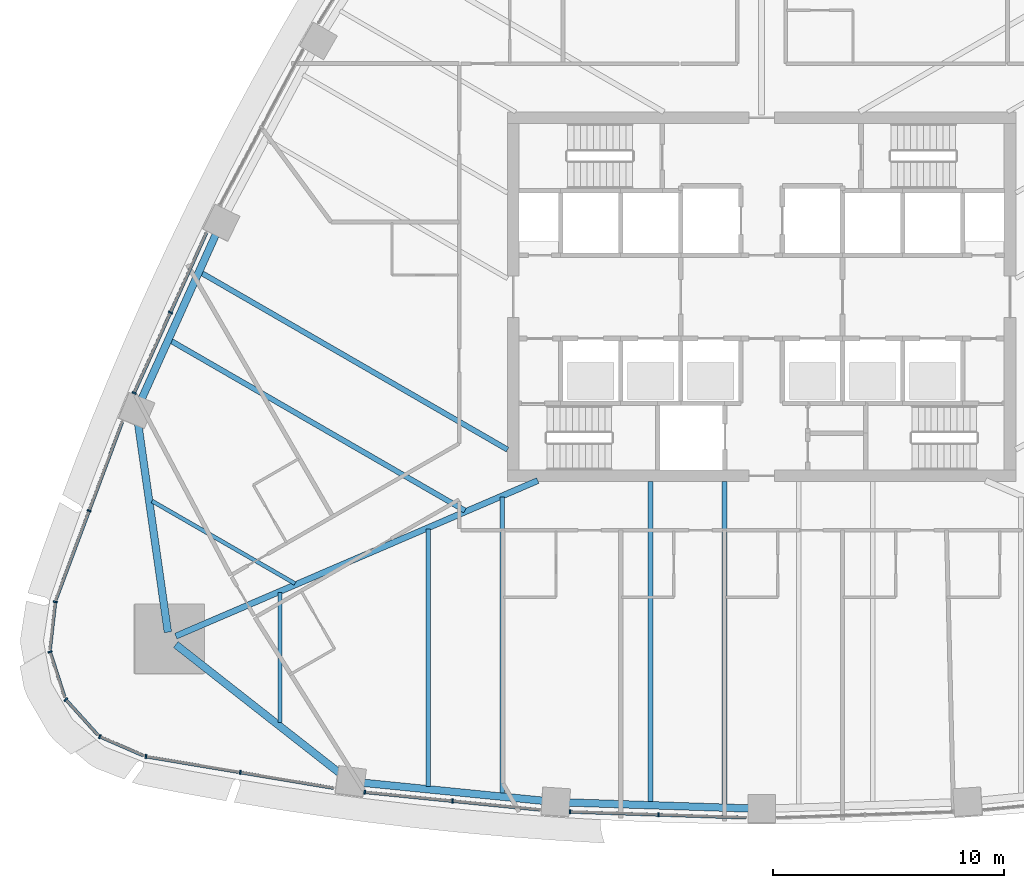
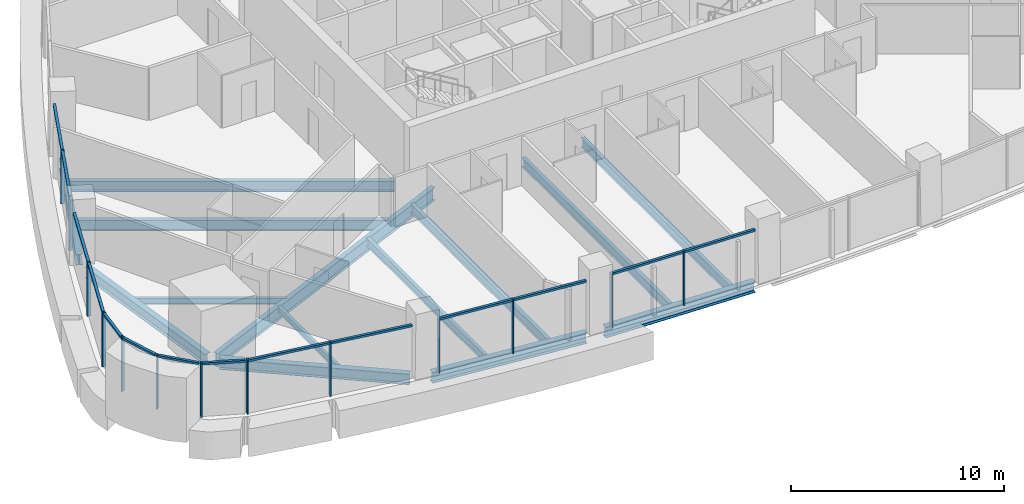
# One storey, part 2 of 17: 27 members, 14 beams, 9 elements without a shape of their own.
"""IFC4 building model written with IfcOpenShell, lengths in metres."""

from ifc_helpers import new_model, si_unit, direction, frame, origin, origin_2d, place, context, subcontext, project, spatial, rectangle, i_section, extrude, material, layer, layer_set, material_profile, profile_set, type_object, element, aggregate, save


model = new_model("IFC4")

# Units and contexts
model_context = context("Model", 3, precision=1e-05, world=origin(), true_north=direction((0.0, 1.0)))
body_context = subcontext(model_context, "Body", "Model", "MODEL_VIEW")
ifc_project = project(units=[si_unit("LENGTHUNIT", "METRE"), si_unit("AREAUNIT", "SQUARE_METRE"), si_unit("VOLUMEUNIT", "CUBIC_METRE"), si_unit("PLANEANGLEUNIT", "RADIAN"), si_unit("MASSUNIT", "GRAM", prefix="KILO")], contexts=[model_context])

# Site, building, storey
site_placement = place(None, origin())
site = spatial("IfcSite", under=ifc_project, at=site_placement, CompositionType="ELEMENT")
building_placement = place(site_placement, origin())
building = spatial("IfcBuilding", under=site, at=building_placement, Name="Sierra Prisma Convention Tower", CompositionType="ELEMENT")
storey_placement = place(building_placement, frame((0.0, 0.0, 99.800048828125)))
storey = spatial("IfcBuildingStorey", under=building, at=storey_placement, Name="L21", CompositionType="ELEMENT", Elevation=99.800048828125)

# Curtain wall, members
ifc_material_1 = material(Name="Aluminium and glass curtain wall", Category="aluminium")
ifc_layer = layer(ifc_material_1, 0.179931640625)
ifc_layer_set = layer_set([ifc_layer], Name="CW-1 Plain shaft curtain wall")
curtain_wall_type = type_object("IfcCurtainWallType", Name="CW-1 Plain shaft curtain wall", PredefinedType="NOTDEFINED", material=ifc_layer_set)
curtain_wall_1_placement = place(storey_placement, origin())
curtain_wall_1 = element("IfcCurtainWall", 1, at=curtain_wall_1_placement, inside=storey, type_object=curtain_wall_type, Name="CW-1 S1 L21", PredefinedType="NOTDEFINED")
ifc_material_2 = material(Name="Aluminium 6063-T6 bronze anodised", Category="aluminium")
ifc_material_profile_1 = material_profile(ifc_material_2, rectangle(XDim=0.179931640625, YDim=0.070068359375, at=origin_2d()), Name="ALU MULLION 70x180")
ifc_profile_set_1 = profile_set([ifc_material_profile_1], Name="Aluminium 6063-T6 bronze anodised")
member_type_1 = type_object("IfcMemberType", Name="CW mullion bronze", PredefinedType="MULLION", material=ifc_profile_set_1)
member_1_placement = place(storey_placement, frame((-26.65234375, -19.895751953125, 0.0), z_axis=(0.0, 0.0, 1.0), x_axis=(0.165693606281, 0.986177280633, 0.0)))
member_1 = element("IfcMember", 2, at=member_1_placement, type_object=member_type_1, Name="CW-1 mullion S1.1", PredefinedType="MULLION", context=body_context, shape_type="SweptSolid", body=[
    extrude(rectangle(XDim=0.179931640625, YDim=0.070068359375, at=origin_2d()), origin(), (0.0, 0.0, 1.0), 3.099853515625),
])
member_2_placement = place(storey_placement, frame((-22.56787109375, -20.58203125, 0.0), z_axis=(0.0, 0.0, 1.0), x_axis=(0.165693606281, 0.986177280633, 0.0)))
member_2 = element("IfcMember", 3, at=member_2_placement, type_object=member_type_1, Name="CW-1 mullion S1.2", PredefinedType="MULLION", context=body_context, shape_type="SweptSolid", body=[
    extrude(rectangle(XDim=0.179931640625, YDim=0.070068359375, at=origin_2d()), origin(), (0.0, 0.0, 1.0), 3.099853515625),
])

curtain_wall_2_placement = place(storey_placement, origin())
curtain_wall_2 = element("IfcCurtainWall", 4, at=curtain_wall_2_placement, inside=storey, type_object=curtain_wall_type, Name="CW-1 S2 L21", PredefinedType="NOTDEFINED")
member_3_placement = place(storey_placement, frame((-17.180419921875, -21.44140625, 0.0), z_axis=(0.0, 0.0, 1.0), x_axis=(0.099710810289, 0.995016459317, 0.0)))
member_3 = element("IfcMember", 5, at=member_3_placement, type_object=member_type_1, Name="CW-1 mullion S2.1", PredefinedType="MULLION", context=body_context, shape_type="SweptSolid", body=[
    extrude(rectangle(XDim=0.179931640625, YDim=0.070068359375, at=origin_2d()), origin(), (0.0, 0.0, 1.0), 3.099853515625),
])
member_4_placement = place(storey_placement, frame((-13.38037109375, -21.822021484375, 0.0), z_axis=(0.0, 0.0, 1.0), x_axis=(0.099710810289, 0.995016459317, 0.0)))
member_4 = element("IfcMember", 6, at=member_4_placement, type_object=member_type_1, Name="CW-1 mullion S2.2", PredefinedType="MULLION", context=body_context, shape_type="SweptSolid", body=[
    extrude(rectangle(XDim=0.179931640625, YDim=0.070068359375, at=origin_2d()), origin(), (0.0, 0.0, 1.0), 3.099853515625),
])

curtain_wall_3_placement = place(storey_placement, origin())
curtain_wall_3 = element("IfcCurtainWall", 7, at=curtain_wall_3_placement, inside=storey, type_object=curtain_wall_type, Name="CW-1 S3 L21", PredefinedType="NOTDEFINED")
member_5_placement = place(storey_placement, frame((-8.301025390625, -22.287841796875, 0.0), z_axis=(0.0, 0.0, 1.0), x_axis=(0.0332861099, 0.99944586391, 0.0)))
member_5 = element("IfcMember", 8, at=member_5_placement, type_object=member_type_1, Name="CW-1 mullion S3.1", PredefinedType="MULLION", context=body_context, shape_type="SweptSolid", body=[
    extrude(rectangle(XDim=0.179931640625, YDim=0.070068359375, at=origin_2d()), origin(), (0.0, 0.0, 1.0), 3.099853515625),
])
member_6_placement = place(storey_placement, frame((-4.4677734375, -22.41552734375, 0.0), z_axis=(0.0, 0.0, 1.0), x_axis=(0.0332861099, 0.99944586391, 0.0)))
member_6 = element("IfcMember", 9, at=member_6_placement, type_object=member_type_1, Name="CW-1 mullion S3.2", PredefinedType="MULLION", context=body_context, shape_type="SweptSolid", body=[
    extrude(rectangle(XDim=0.179931640625, YDim=0.070068359375, at=origin_2d()), origin(), (0.0, 0.0, 1.0), 3.099853515625),
])

curtain_wall_4_placement = place(storey_placement, origin())
curtain_wall_4 = element("IfcCurtainWall", 10, at=curtain_wall_4_placement, inside=storey, type_object=curtain_wall_type, Name="CW-1 NW5 L21", PredefinedType="NOTDEFINED")
member_7_placement = place(storey_placement, frame((-25.588623046875, -0.6767578125, 0.0), z_axis=(0.0, 0.0, 1.0), x_axis=(0.911564936097, -0.411156134916, 0.0)))
member_7 = element("IfcMember", 11, at=member_7_placement, type_object=member_type_1, Name="CW-1 mullion NW5.2", PredefinedType="MULLION", context=body_context, shape_type="SweptSolid", body=[
    extrude(rectangle(XDim=0.179931640625, YDim=0.070068359375, at=origin_2d()), origin(), (0.0, 0.0, 1.0), 3.099853515625),
])
member_8_placement = place(storey_placement, frame((-27.158935546875, -4.157958984375, 0.0), z_axis=(0.0, 0.0, 1.0), x_axis=(0.911564936097, -0.411156134916, 0.0)))
member_8 = element("IfcMember", 12, at=member_8_placement, type_object=member_type_1, Name="CW-1 mullion NW5.3", PredefinedType="MULLION", context=body_context, shape_type="SweptSolid", body=[
    extrude(rectangle(XDim=0.179931640625, YDim=0.070068359375, at=origin_2d()), origin(), (0.0, 0.0, 1.0), 3.099853515625),
])

# Curtain wall, member
curtain_wall_5_placement = place(storey_placement, origin())
curtain_wall_5 = element("IfcCurtainWall", 13, at=curtain_wall_5_placement, inside=storey, type_object=curtain_wall_type, Name="CW-1 NW6 L21", PredefinedType="NOTDEFINED")
member_9_placement = place(storey_placement, frame((-29.1083984375, -9.25341796875, 0.0), z_axis=(0.0, 0.0, 1.0), x_axis=(0.936901380804, -0.349593768032, 0.0)))
member_9 = element("IfcMember", 14, at=member_9_placement, type_object=member_type_1, Name="CW-1 mullion NW6.2", PredefinedType="MULLION", context=body_context, shape_type="SweptSolid", body=[
    extrude(rectangle(XDim=0.179931640625, YDim=0.070068359375, at=origin_2d()), origin(), (0.0, 0.0, 1.0), 3.099853515625),
])

curtain_wall_6_placement = place(storey_placement, origin())
curtain_wall_6 = element("IfcCurtainWall", 15, at=curtain_wall_6_placement, inside=storey, type_object=curtain_wall_type, Name="CW-1 SW1 L21", PredefinedType="NOTDEFINED")
member_10_placement = place(storey_placement, frame((-30.572509765625, -13.201171875, 0.0), z_axis=(0.0, 0.0, 1.0), x_axis=(0.993736317178, -0.111750310606, 0.0)))
member_10 = element("IfcMember", 16, at=member_10_placement, type_object=member_type_1, Name="CW-1 mullion SW1.1", PredefinedType="MULLION", context=body_context, shape_type="SweptSolid", body=[
    extrude(rectangle(XDim=0.179931640625, YDim=0.070068359375, at=origin_2d()), origin(), (0.0, 0.0, 1.0), 3.099853515625),
])

curtain_wall_7_placement = place(storey_placement, origin())
curtain_wall_7 = element("IfcCurtainWall", 17, at=curtain_wall_7_placement, inside=storey, type_object=curtain_wall_type, Name="CW-1 SW2 L21", PredefinedType="NOTDEFINED")
member_11_placement = place(storey_placement, frame((-30.80126953125, -15.364013671875, 0.0), z_axis=(0.0, 0.0, 1.0), x_axis=(0.95180200825, 0.306713118551, 0.0)))
member_11 = element("IfcMember", 18, at=member_11_placement, type_object=member_type_1, Name="CW-1 mullion SW2.1", PredefinedType="MULLION", context=body_context, shape_type="SweptSolid", body=[
    extrude(rectangle(XDim=0.179931640625, YDim=0.070068359375, at=origin_2d()), origin(), (0.0, 0.0, 1.0), 3.099853515625),
])

curtain_wall_8_placement = place(storey_placement, origin())
curtain_wall_8 = element("IfcCurtainWall", 19, at=curtain_wall_8_placement, inside=storey, type_object=curtain_wall_type, Name="CW-1 SW3 L21", PredefinedType="NOTDEFINED")
member_12_placement = place(storey_placement, frame((-30.12060546875, -17.4296875, 0.0), z_axis=(0.0, 0.0, 1.0), x_axis=(0.741522356464, 0.670928159242, 0.0)))
member_12 = element("IfcMember", 20, at=member_12_placement, type_object=member_type_1, Name="CW-1 mullion SW3.1", PredefinedType="MULLION", context=body_context, shape_type="SweptSolid", body=[
    extrude(rectangle(XDim=0.179931640625, YDim=0.070068359375, at=origin_2d()), origin(), (0.0, 0.0, 1.0), 3.099853515625),
])

curtain_wall_9_placement = place(storey_placement, origin())
curtain_wall_9 = element("IfcCurtainWall", 21, at=curtain_wall_9_placement, inside=storey, type_object=curtain_wall_type, Name="CW-1 SW4 L21", PredefinedType="NOTDEFINED")
member_13_placement = place(storey_placement, frame((-28.65087890625, -19.03271484375, 0.0), z_axis=(0.0, 0.0, 1.0), x_axis=(0.400089550724, 0.916476050643, 0.0)))
member_13 = element("IfcMember", 22, at=member_13_placement, type_object=member_type_1, Name="CW-1 mullion SW4.1", PredefinedType="MULLION", context=body_context, shape_type="SweptSolid", body=[
    extrude(rectangle(XDim=0.179931640625, YDim=0.070068359375, at=origin_2d()), origin(), (0.0, 0.0, 1.0), 3.099853515625),
])

# Member
ifc_material_3 = material(Name="Aluminium 6063-T6 bronze anodised", Category="aluminium")
ifc_material_profile_2 = material_profile(ifc_material_3, rectangle(XDim=0.139892578125, YDim=0.1201171875, at=origin_2d()), Name="ALU TRANSOM 120x140")
ifc_profile_set_2 = profile_set([ifc_material_profile_2], Name="Aluminium 6063-T6 bronze anodised")
member_type_2 = type_object("IfcMemberType", Name="CW transom bronze", PredefinedType="USERDEFINED", material=ifc_profile_set_2)
member_14_placement = place(storey_placement, frame((-26.617919921875, -19.901611328125, 3.0400390625), z_axis=(0.986182452197, -0.165662823165, 0.0), x_axis=(0.165662823165, 0.986182452197, 0.0)))
member_14 = element("IfcMember", 23, at=member_14_placement, type_object=member_type_2, Name="CW-1 transom S1.1", ObjectType="TRANSOM", PredefinedType="USERDEFINED", context=body_context, shape_type="SweptSolid", body=[
    extrude(rectangle(XDim=0.139892578125, YDim=0.1201171875, at=origin_2d()), origin(), (0.0, 0.0, 1.0), 4.07177734375),
])

member_15_placement = place(storey_placement, frame((-22.533447265625, -20.587890625, 3.0400390625), z_axis=(0.986180806565, -0.165672619234, 0.0), x_axis=(0.165672619234, 0.986180806565, 0.0)))
member_15 = element("IfcMember", 24, at=member_15_placement, type_object=member_type_2, Name="CW-1 transom S1.2", ObjectType="TRANSOM", PredefinedType="USERDEFINED", context=body_context, shape_type="SweptSolid", body=[
    extrude(rectangle(XDim=0.139892578125, YDim=0.1201171875, at=origin_2d()), origin(), (0.0, 0.0, 1.0), 4.071533203125),
])

aggregate(curtain_wall_1, [member_1, member_2, member_14, member_15])

member_16_placement = place(storey_placement, frame((-17.1455078125, -21.44482421875, 3.0400390625), z_axis=(0.995017181829, -0.099703600064, 0.0), x_axis=(0.099703600064, 0.995017181829, 0.0)))
member_16 = element("IfcMember", 25, at=member_16_placement, type_object=member_type_2, Name="CW-1 transom S2.1", ObjectType="TRANSOM", PredefinedType="USERDEFINED", context=body_context, shape_type="SweptSolid", body=[
    extrude(rectangle(XDim=0.139892578125, YDim=0.1201171875, at=origin_2d()), origin(), (0.0, 0.0, 1.0), 3.7490234375),
])

member_17_placement = place(storey_placement, frame((-13.345458984375, -21.82568359375, 3.0400390625), z_axis=(0.995017829143, -0.099697139818, 0.0), x_axis=(0.099697139818, 0.995017829143, 0.0)))
member_17 = element("IfcMember", 26, at=member_17_placement, type_object=member_type_2, Name="CW-1 transom S2.2", ObjectType="TRANSOM", PredefinedType="USERDEFINED", context=body_context, shape_type="SweptSolid", body=[
    extrude(rectangle(XDim=0.139892578125, YDim=0.1201171875, at=origin_2d()), origin(), (0.0, 0.0, 1.0), 3.749267578125),
])

aggregate(curtain_wall_2, [member_3, member_4, member_16, member_17])

member_18_placement = place(storey_placement, frame((-8.26611328125, -22.2890625, 3.0400390625), z_axis=(0.999446704523, -0.033260860163, 0.0), x_axis=(0.033260860163, 0.999446704523, 0.0)))
member_18 = element("IfcMember", 27, at=member_18_placement, type_object=member_type_2, Name="CW-1 transom S3.1", ObjectType="TRANSOM", PredefinedType="USERDEFINED", context=body_context, shape_type="SweptSolid", body=[
    extrude(rectangle(XDim=0.139892578125, YDim=0.1201171875, at=origin_2d()), origin(), (0.0, 0.0, 1.0), 3.765625),
])

member_19_placement = place(storey_placement, frame((-4.432861328125, -22.416748046875, 3.0400390625), z_axis=(0.999446632789, -0.033263015611, 0.0), x_axis=(0.033263015611, 0.999446632789, 0.0)))
member_19 = element("IfcMember", 28, at=member_19_placement, type_object=member_type_2, Name="CW-1 transom S3.2", ObjectType="TRANSOM", PredefinedType="USERDEFINED", context=body_context, shape_type="SweptSolid", body=[
    extrude(rectangle(XDim=0.139892578125, YDim=0.1201171875, at=origin_2d()), origin(), (0.0, 0.0, 1.0), 3.765380859375),
])

aggregate(curtain_wall_3, [member_5, member_6, member_18, member_19])

member_20_placement = place(storey_placement, frame((-24.032958984375, 2.772705078125, 3.0400390625), z_axis=(-0.411117302973, -0.911582450026, 0.0), x_axis=(0.911582450026, -0.411117302973, 0.0)))
member_20 = element("IfcMember", 29, at=member_20_placement, type_object=member_type_2, Name="CW-1 transom NW5.1", ObjectType="TRANSOM", PredefinedType="USERDEFINED", context=body_context, shape_type="SweptSolid", body=[
    extrude(rectangle(XDim=0.139892578125, YDim=0.1201171875, at=origin_2d()), origin(), (0.0, 0.0, 1.0), 3.7490234375),
])

member_21_placement = place(storey_placement, frame((-25.60302734375, -0.70849609375, 3.0400390625), z_axis=(-0.411171416325, -0.911558043351, 0.0), x_axis=(0.911558043351, -0.411171416325, 0.0)))
member_21 = element("IfcMember", 30, at=member_21_placement, type_object=member_type_2, Name="CW-1 transom NW5.2", ObjectType="TRANSOM", PredefinedType="USERDEFINED", context=body_context, shape_type="SweptSolid", body=[
    extrude(rectangle(XDim=0.139892578125, YDim=0.1201171875, at=origin_2d()), origin(), (0.0, 0.0, 1.0), 3.7490234375),
])

aggregate(curtain_wall_4, [member_7, member_8, member_20, member_21])

member_22_placement = place(storey_placement, frame((-27.6728515625, -5.40576171875, 3.0400390625), z_axis=(-0.349578735995, -0.936906989695, 0.0), x_axis=(0.936906989695, -0.349578735995, 0.0)))
member_22 = element("IfcMember", 31, at=member_22_placement, type_object=member_type_2, Name="CW-1 transom NW6.1", ObjectType="TRANSOM", PredefinedType="USERDEFINED", context=body_context, shape_type="SweptSolid", body=[
    extrude(rectangle(XDim=0.139892578125, YDim=0.1201171875, at=origin_2d()), origin(), (0.0, 0.0, 1.0), 4.071533203125),
])

member_23_placement = place(storey_placement, frame((-29.120849609375, -9.2861328125, 3.0400390625), z_axis=(-0.349578735995, -0.936906989695, 0.0), x_axis=(0.936906989695, -0.349578735995, 0.0)))
member_23 = element("IfcMember", 32, at=member_23_placement, type_object=member_type_2, Name="CW-1 transom NW6.2", ObjectType="TRANSOM", PredefinedType="USERDEFINED", context=body_context, shape_type="SweptSolid", body=[
    extrude(rectangle(XDim=0.139892578125, YDim=0.1201171875, at=origin_2d()), origin(), (0.0, 0.0, 1.0), 4.071533203125),
])

aggregate(curtain_wall_5, [member_9, member_22, member_23])

member_24_placement = place(storey_placement, frame((-30.576416015625, -13.236083984375, 3.0400390625), z_axis=(-0.111772591438, -0.993733811341, 0.0), x_axis=(0.993733811341, -0.111772591438, 0.0)))
member_24 = element("IfcMember", 33, at=member_24_placement, type_object=member_type_2, Name="CW-1 transom SW1.1", ObjectType="TRANSOM", PredefinedType="USERDEFINED", context=body_context, shape_type="SweptSolid", body=[
    extrude(rectangle(XDim=0.139892578125, YDim=0.1201171875, at=origin_2d()), origin(), (0.0, 0.0, 1.0), 2.037841796875),
])

aggregate(curtain_wall_6, [member_10, member_24])

member_25_placement = place(storey_placement, frame((-30.79052734375, -15.3974609375, 3.0400390625), z_axis=(0.306687737925, -0.951810186648, 0.0), x_axis=(0.951810186648, 0.306687737925, 0.0)))
member_25 = element("IfcMember", 34, at=member_25_placement, type_object=member_type_2, Name="CW-1 transom SW2.1", ObjectType="TRANSOM", PredefinedType="USERDEFINED", context=body_context, shape_type="SweptSolid", body=[
    extrude(rectangle(XDim=0.139892578125, YDim=0.1201171875, at=origin_2d()), origin(), (0.0, 0.0, 1.0), 2.037841796875),
])

aggregate(curtain_wall_7, [member_11, member_25])

member_26_placement = place(storey_placement, frame((-30.09716796875, -17.45556640625, 3.0400390625), z_axis=(0.670947826555, -0.741504561038, 0.0), x_axis=(0.741504561038, 0.670947826555, 0.0)))
member_26 = element("IfcMember", 35, at=member_26_placement, type_object=member_type_2, Name="CW-1 transom SW3.1", ObjectType="TRANSOM", PredefinedType="USERDEFINED", context=body_context, shape_type="SweptSolid", body=[
    extrude(rectangle(XDim=0.139892578125, YDim=0.1201171875, at=origin_2d()), origin(), (0.0, 0.0, 1.0), 2.0380859375),
])

aggregate(curtain_wall_8, [member_12, member_26])

member_27_placement = place(storey_placement, frame((-28.61865234375, -19.046630859375, 3.0400390625), z_axis=(0.916459516531, -0.400127422904, 0.0), x_axis=(0.400127422904, 0.916459516531, 0.0)))
member_27 = element("IfcMember", 36, at=member_27_placement, type_object=member_type_2, Name="CW-1 transom SW4.1", ObjectType="TRANSOM", PredefinedType="USERDEFINED", context=body_context, shape_type="SweptSolid", body=[
    extrude(rectangle(XDim=0.139892578125, YDim=0.1201171875, at=origin_2d()), origin(), (0.0, 0.0, 1.0), 2.037841796875),
])

aggregate(curtain_wall_9, [member_13, member_27])

# Beams
ifc_material_4 = material(Name="Steel ASTM A992 Gr 50", Category="steel")
ifc_material_profile_3 = material_profile(ifc_material_4, i_section(OverallWidth=0.172119140625, OverallDepth=0.35791015625, WebThickness=0.0078125, FlangeThickness=0.01318359375, at=origin_2d()), Name="W360x57")
ifc_profile_set_3 = profile_set([ifc_material_profile_3], Name="Steel ASTM A992 Gr 50")
beam_type_1 = type_object("IfcBeamType", Name="Floor joist W360x57", PredefinedType="JOIST", material=ifc_profile_set_3)
beam_1_placement = place(storey_placement, frame((-20.84814453125, -18.432373046875, -0.3291015625), z_axis=(0.0, 1.0, 0.0), x_axis=(-1.0, 0.0, 0.0)))
element("IfcBeam", 37, at=beam_1_placement, inside=storey, type_object=beam_type_1, Name="Floor joist L21 S02", PredefinedType="JOIST", context=body_context, shape_type="SweptSolid", body=[
    extrude(i_section(OverallWidth=0.172119140625, OverallDepth=0.35791015625, WebThickness=0.0078125, FlangeThickness=0.01318359375, at=origin_2d()), origin(), (0.0, 0.0, 1.0), 5.62744140625),
])
beam_2_placement = place(storey_placement, frame((-26.386962890625, -8.8388671875, -0.3291015625), z_axis=(0.86602851899, -0.499994604267, 0.0), x_axis=(0.499994604267, 0.86602851899, 0.0)))
element("IfcBeam", 38, at=beam_2_placement, inside=storey, type_object=beam_type_1, Name="Floor joist L21 NW15", PredefinedType="JOIST", context=body_context, shape_type="SweptSolid", body=[
    extrude(i_section(OverallWidth=0.172119140625, OverallDepth=0.35791015625, WebThickness=0.0078125, FlangeThickness=0.01318359375, at=origin_2d()), origin(), (0.0, 0.0, 1.0), 7.14404296875),
])
ifc_material_5 = material(Name="Steel ASTM A992 Gr 50", Category="steel")
ifc_material_profile_4 = material_profile(ifc_material_5, i_section(OverallWidth=0.18994140625, OverallDepth=0.45703125, WebThickness=0.009033203125, FlangeThickness=0.014404296875, at=origin_2d()), Name="W460x74")
ifc_profile_set_4 = profile_set([ifc_material_profile_4], Name="Steel ASTM A992 Gr 50")
beam_type_2 = type_object("IfcBeamType", Name="Floor joist W460x74", PredefinedType="JOIST", material=ifc_profile_set_4)
beam_3_placement = place(storey_placement, frame((-14.433349609375, -21.201416015625, -0.378662109375), z_axis=(0.0, 1.0, 0.0), x_axis=(-1.0, 0.0, 0.0)))
element("IfcBeam", 39, at=beam_3_placement, inside=storey, type_object=beam_type_2, Name="Floor joist L21 S04", PredefinedType="JOIST", context=body_context, shape_type="SweptSolid", body=[
    extrude(i_section(OverallWidth=0.18994140625, OverallDepth=0.45703125, WebThickness=0.009033203125, FlangeThickness=0.014404296875, at=origin_2d()), origin(), (0.0, 0.0, 1.0), 11.15283203125),
])
ifc_material_6 = material(Name="Steel ASTM A992 Gr 50", Category="steel")
ifc_material_profile_5 = material_profile(ifc_material_6, i_section(OverallWidth=0.208984375, OverallDepth=0.532958984375, WebThickness=0.01025390625, FlangeThickness=0.015625, at=origin_2d()), Name="W530x92")
ifc_profile_set_5 = profile_set([ifc_material_profile_5], Name="Steel ASTM A992 Gr 50")
beam_type_3 = type_object("IfcBeamType", Name="Floor joist W530x92", PredefinedType="JOIST", material=ifc_profile_set_5)
beam_4_placement = place(storey_placement, frame((-11.225830078125, -21.52294921875, -0.41650390625), z_axis=(0.0, 1.0, 0.0), x_axis=(-1.0, 0.0, 0.0)))
element("IfcBeam", 40, at=beam_4_placement, inside=storey, type_object=beam_type_3, Name="Floor joist L21 S05", PredefinedType="JOIST", context=body_context, shape_type="SweptSolid", body=[
    extrude(i_section(OverallWidth=0.208984375, OverallDepth=0.532958984375, WebThickness=0.01025390625, FlangeThickness=0.015625, at=origin_2d()), origin(), (0.0, 0.0, 1.0), 12.8525390625),
])
beam_5_placement = place(storey_placement, frame((-4.81103515625, -21.891357421875, -0.41650390625), z_axis=(0.0, 1.0, 0.0), x_axis=(-1.0, 0.0, 0.0)))
element("IfcBeam", 41, at=beam_5_placement, inside=storey, type_object=beam_type_3, Name="Floor joist L21 S07", PredefinedType="JOIST", context=body_context, shape_type="SweptSolid", body=[
    extrude(i_section(OverallWidth=0.208984375, OverallDepth=0.532958984375, WebThickness=0.01025390625, FlangeThickness=0.015625, at=origin_2d()), origin(), (0.0, 0.0, 1.0), 13.891357421875),
])
beam_6_placement = place(storey_placement, frame((-1.603759765625, -21.998291015625, -0.41650390625), z_axis=(0.0, 1.0, 0.0), x_axis=(-1.0, 0.0, 0.0)))
element("IfcBeam", 42, at=beam_6_placement, inside=storey, type_object=beam_type_3, Name="Floor joist L21 S08", PredefinedType="JOIST", context=body_context, shape_type="SweptSolid", body=[
    extrude(i_section(OverallWidth=0.208984375, OverallDepth=0.532958984375, WebThickness=0.01025390625, FlangeThickness=0.015625, at=origin_2d()), origin(), (0.0, 0.0, 1.0), 13.998291015625),
])
ifc_material_7 = material(Name="Steel ASTM A992 Gr 50", Category="steel")
ifc_material_profile_6 = material_profile(ifc_material_7, i_section(OverallWidth=0.22802734375, OverallDepth=0.60302734375, WebThickness=0.010498046875, FlangeThickness=0.014892578125, at=origin_2d()), Name="W610x101")
ifc_profile_set_6 = profile_set([ifc_material_profile_6], Name="Steel ASTM A992 Gr 50")
beam_type_4 = type_object("IfcBeamType", Name="Floor joist W610x101", PredefinedType="JOIST", material=ifc_profile_set_6)
beam_7_placement = place(storey_placement, frame((-24.25244140625, 1.03955078125, -0.45166015625), z_axis=(0.866023519955, -0.500003262875, 0.0), x_axis=(0.500003262875, 0.866023519955, 0.0)))
element("IfcBeam", 43, at=beam_7_placement, inside=storey, type_object=beam_type_4, Name="Floor joist L21 NW12", PredefinedType="JOIST", context=body_context, shape_type="SweptSolid", body=[
    extrude(i_section(OverallWidth=0.22802734375, OverallDepth=0.60302734375, WebThickness=0.010498046875, FlangeThickness=0.014892578125, at=origin_2d()), origin(), (0.0, 0.0, 1.0), 15.302734375),
])
beam_8_placement = place(storey_placement, frame((-25.57763671875, -1.89892578125, -0.45166015625), z_axis=(0.866023270402, -0.500003695108, 0.0), x_axis=(0.500003695108, 0.866023270402, 0.0)))
element("IfcBeam", 44, at=beam_8_placement, inside=storey, type_object=beam_type_4, Name="Floor joist L21 NW13", PredefinedType="JOIST", context=body_context, shape_type="SweptSolid", body=[
    extrude(i_section(OverallWidth=0.22802734375, OverallDepth=0.60302734375, WebThickness=0.010498046875, FlangeThickness=0.014892578125, at=origin_2d()), origin(), (0.0, 0.0, 1.0), 14.703125),
])
ifc_material_8 = material(Name="Steel ASTM A992 Gr 50", Category="steel")
ifc_material_profile_7 = material_profile(ifc_material_8, i_section(OverallWidth=0.264892578125, OverallDepth=0.7529296875, WebThickness=0.01318359375, FlangeThickness=0.01708984375, at=origin_2d()), Name="W760x147")
ifc_profile_set_7 = profile_set([ifc_material_profile_7], Name="Steel ASTM A992 Gr 50")
beam_type_5 = type_object("IfcBeamType", Name="Radial girder W760x147", PredefinedType="BEAM", material=ifc_profile_set_7)
beam_9_placement = place(storey_placement, frame((-25.359375, -14.685546875, -0.526611328125), z_axis=(0.91877663593, 0.39477777707, 0.0), x_axis=(-0.39477777707, 0.91877663593, 0.0)))
element("IfcBeam", 45, at=beam_9_placement, inside=storey, type_object=beam_type_5, Name="Radial girder L21 SW", PredefinedType="BEAM", context=body_context, shape_type="SweptSolid", body=[
    extrude(i_section(OverallWidth=0.264892578125, OverallDepth=0.7529296875, WebThickness=0.01318359375, FlangeThickness=0.01708984375, at=origin_2d()), origin(), (0.0, 0.0, 1.0), 17.054931640625),
])
ifc_material_9 = material(Name="Steel ASTM A992 Gr 50", Category="steel")
ifc_material_profile_8 = material_profile(ifc_material_9, i_section(OverallWidth=0.324951171875, OverallDepth=0.615966796875, WebThickness=0.013916015625, FlangeThickness=0.021484375, at=origin_2d()), Name="W610x174")
ifc_profile_set_8 = profile_set([ifc_material_profile_8], Name="Steel ASTM A992 Gr 50")
beam_type_6 = type_object("IfcBeamType", Name="Spandrel beam W610x174", PredefinedType="BEAM", material=ifc_profile_set_8)
beam_10_placement = place(storey_placement, frame((-25.359375, -15.0498046875, -0.4580078125), z_axis=(0.786773318842, -0.617242047141, 0.0), x_axis=(0.617242047141, 0.786773318842, 0.0)))
element("IfcBeam", 46, at=beam_10_placement, inside=storey, type_object=beam_type_6, Name="Spandrel L21-01", PredefinedType="BEAM", context=body_context, shape_type="SweptSolid", body=[
    extrude(i_section(OverallWidth=0.324951171875, OverallDepth=0.615966796875, WebThickness=0.013916015625, FlangeThickness=0.021484375, at=origin_2d()), origin(), (0.0, 0.0, 1.0), 9.026611328125),
])
beam_11_placement = place(storey_placement, frame((-17.326171875, -21.02490234375, -0.4580078125), z_axis=(0.995018055365, -0.099694882006, 0.0), x_axis=(0.099694882006, 0.995018055365, 0.0)))
element("IfcBeam", 47, at=beam_11_placement, inside=storey, type_object=beam_type_6, Name="Spandrel L21-02", PredefinedType="BEAM", context=body_context, shape_type="SweptSolid", body=[
    extrude(i_section(OverallWidth=0.324951171875, OverallDepth=0.615966796875, WebThickness=0.013916015625, FlangeThickness=0.021484375, at=origin_2d()), origin(), (0.0, 0.0, 1.0), 7.96630859375),
])
beam_12_placement = place(storey_placement, frame((-8.441650390625, -21.883056640625, -0.4580078125), z_axis=(0.999445960943, -0.033283196271, 0.0), x_axis=(0.033283196271, 0.999445960943, 0.0)))
element("IfcBeam", 48, at=beam_12_placement, inside=storey, type_object=beam_type_6, Name="Spandrel L21-03", PredefinedType="BEAM", context=body_context, shape_type="SweptSolid", body=[
    extrude(i_section(OverallWidth=0.324951171875, OverallDepth=0.615966796875, WebThickness=0.013916015625, FlangeThickness=0.021484375, at=origin_2d()), origin(), (0.0, 0.0, 1.0), 7.966064453125),
])
beam_13_placement = place(storey_placement, frame((-23.595947265625, 2.76904296875, -0.4580078125), z_axis=(-0.411145705611, -0.911569640103, 0.0), x_axis=(0.911569640103, -0.411145705611, 0.0)))
element("IfcBeam", 49, at=beam_13_placement, inside=storey, type_object=beam_type_6, Name="Spandrel L21-17", PredefinedType="BEAM", context=body_context, shape_type="SweptSolid", body=[
    extrude(i_section(OverallWidth=0.324951171875, OverallDepth=0.615966796875, WebThickness=0.013916015625, FlangeThickness=0.021484375, at=origin_2d()), origin(), (0.0, 0.0, 1.0), 7.9658203125),
])
beam_14_placement = place(storey_placement, frame((-26.9873046875, -5.500732421875, -0.4580078125), z_axis=(0.141151061699, -0.989988069515, 0.0), x_axis=(0.989988069515, 0.141151061699, 0.0)))
element("IfcBeam", 50, at=beam_14_placement, inside=storey, type_object=beam_type_6, Name="Spandrel L21-18", PredefinedType="BEAM", context=body_context, shape_type="SweptSolid", body=[
    extrude(i_section(OverallWidth=0.324951171875, OverallDepth=0.615966796875, WebThickness=0.013916015625, FlangeThickness=0.021484375, at=origin_2d()), origin(), (0.0, 0.0, 1.0), 9.104736328125),
])

save(model, "model.ifc")
